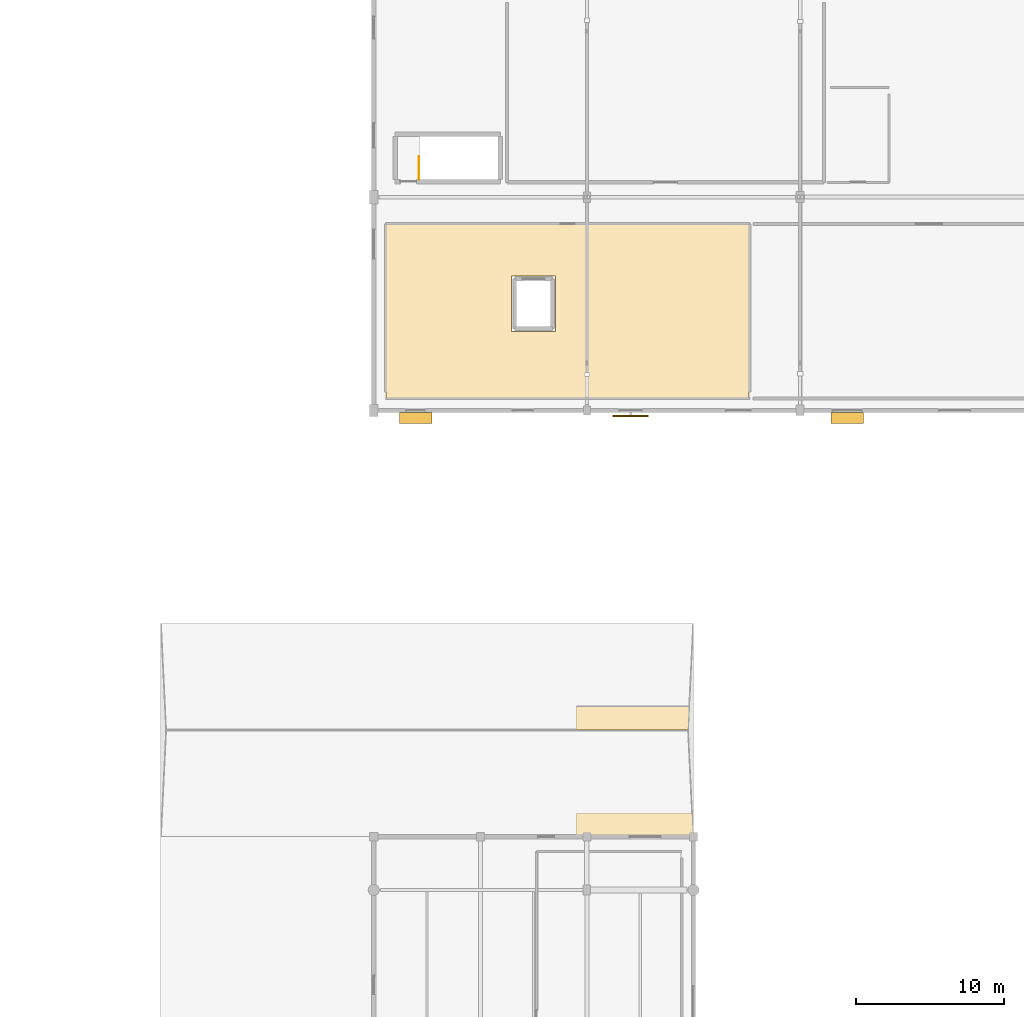
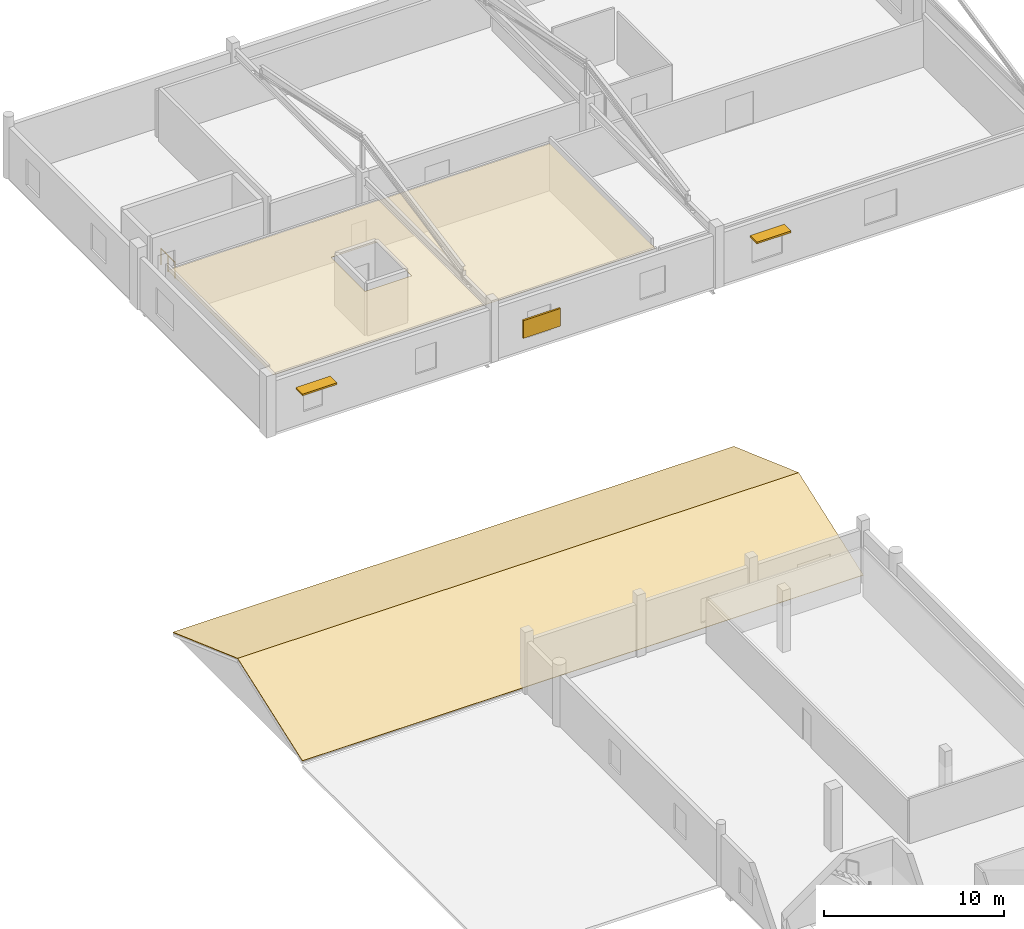
# One storey, part 92 of 92: 3 coverings, 3 shading devices, 1 railing.
"""IFC4 building model written with IfcOpenShell, lengths in metres."""

import ifcopenshell
import ifcopenshell.guid

model = None  # the IFC model being written
_history = None  # IfcOwnerHistory: only IFC2X3 demands one
_inside = {}  # id of a spatial element -> (the spatial element, [elements in it])
_under = {}  # id of a project, library or spatial element -> (it, [spatial elements below it])
_declared = {}  # id of a project -> (the project, [libraries it declares])
_typed = {}  # id of a type object -> (the type object, [elements of that type])
_made_of = {}  # id of a material, layer set ... -> (it, [elements and type objects made of it])


def new_model(schema):
    """Start an empty IFC model of exactly this schema.

    Asked for "IFC4X3", IfcOpenShell would pick the latest addendum, in which some entities
    have other attributes; the version numbers below select the first issue.
    IFC2X3 requires an IfcOwnerHistory on every rooted entity: one is made here for all.
    """
    global model, _history
    if schema == "IFC4X3":
        model = ifcopenshell.file(schema_version=(4, 3, 0, 0))
    else:
        model = ifcopenshell.file(schema=schema)
    _inside.clear()
    _under.clear()
    _declared.clear()
    _typed.clear()
    _made_of.clear()
    _history = None
    if model.schema == "IFC2X3":
        org = make("IfcOrganization", Name="unknown")
        user = make(
            "IfcPersonAndOrganization",
            ThePerson=make("IfcPerson", FamilyName="unknown"),
            TheOrganization=org,
        )
        app = make(
            "IfcApplication",
            ApplicationDeveloper=org,
            Version="unknown",
            ApplicationFullName="unknown",
            ApplicationIdentifier="unknown",
        )
        _history = make(
            "IfcOwnerHistory",
            OwningUser=user,
            OwningApplication=app,
            ChangeAction="ADDED",
            CreationDate=0,
        )
    return model


def make(cls, **values):
    """One entity of the class cls with the attributes given. An attribute that is None is left unset."""
    return model.create_entity(
        cls, **{name: value for name, value in values.items() if value is not None}
    )


def rooted(cls, **values):
    """An entity with a GlobalId (a new one), such as an element, a storey or a relation."""
    return make(cls, GlobalId=ifcopenshell.guid.new(), OwnerHistory=_history, **values)


def si_unit(unit_type, name, prefix=None):
    """IfcSIUnit, for example si_unit("LENGTHUNIT", "METRE", prefix="MILLI")."""
    return make("IfcSIUnit", UnitType=unit_type, Prefix=prefix, Name=name)


def assignment(units):
    """IfcUnitAssignment: the units of a project."""
    return None if units is None else make("IfcUnitAssignment", Units=units)


def point(xyz):
    """IfcCartesianPoint."""
    return None if xyz is None else make("IfcCartesianPoint", Coordinates=xyz)


def direction(xyz):
    """IfcDirection."""
    return None if xyz is None else make("IfcDirection", DirectionRatios=xyz)


def frame(location, z_axis=None, x_axis=None):
    """IfcAxis2Placement3D, a coordinate frame: its origin and axes. An axis left out is left unset."""
    return make(
        "IfcAxis2Placement3D",
        Location=point(location),
        Axis=direction(z_axis),
        RefDirection=direction(x_axis),
    )


def frame_2d(location, x_axis=None):
    """IfcAxis2Placement2D, a coordinate frame in the plane: its origin and x axis."""
    return make(
        "IfcAxis2Placement2D", Location=point(location), RefDirection=direction(x_axis)
    )


def origin():
    """The frame at (0, 0, 0) with its axes left unset."""
    return frame((0.0, 0.0, 0.0))


def origin_2d():
    """The frame at (0, 0) in the plane with its x axis left unset."""
    return frame_2d((0.0, 0.0))


def place(relative_to, where):
    """IfcLocalPlacement: puts the frame where relative to a parent placement (None: the world)."""
    return make(
        "IfcLocalPlacement", PlacementRelTo=relative_to, RelativePlacement=where
    )


def context(
    kind, dimensions, precision=None, world=None, true_north=None, identifier=None
):
    """IfcGeometricRepresentationContext, for example the 3D "Model" context."""
    return make(
        "IfcGeometricRepresentationContext",
        ContextIdentifier=identifier,
        ContextType=kind,
        CoordinateSpaceDimension=dimensions,
        Precision=precision,
        WorldCoordinateSystem=world,
        TrueNorth=true_north,
    )


def subcontext(parent, identifier, kind, view, scale=None):
    """IfcGeometricRepresentationSubContext, for example "Body" below "Model"."""
    return make(
        "IfcGeometricRepresentationSubContext",
        ContextIdentifier=identifier,
        ContextType=kind,
        ParentContext=parent,
        TargetScale=scale,
        TargetView=view,
    )


def project(units=None, contexts=None):
    """IfcProject with its units and contexts."""
    return rooted(
        "IfcProject",
        Name="project",
        RepresentationContexts=contexts,
        UnitsInContext=assignment(units),
    )


def spatial(cls, under=None, at=None, **own):
    """A site, building, storey or space (cls), placed at a placement, below another one or the project."""
    s = rooted(cls, ObjectPlacement=at, **own)
    if under is not None:
        _under.setdefault(under.id(), (under, []))[1].append(s)
    return s


def polyline(points):
    """IfcPolyline through the points."""
    return make("IfcPolyline", Points=[point(p) for p in points])


def profile(cls, at=None, kind="AREA", **sizes):
    """A parametric profile (cls). Its sizes go by their IFC names, for example OverallWidth=200.0."""
    return make(cls, ProfileType=kind, Position=at, **sizes)


def rectangle(**sizes):
    """IfcRectangleProfileDef."""
    return profile("IfcRectangleProfileDef", **sizes)


def circle(**sizes):
    """IfcCircleProfileDef."""
    return profile("IfcCircleProfileDef", **sizes)


def outline(outer, holes=None, kind="AREA"):
    """IfcArbitraryClosedProfileDef: a profile drawn as a closed curve; with holes, ...WithVoids."""
    if holes is None:
        return make("IfcArbitraryClosedProfileDef", ProfileType=kind, OuterCurve=outer)
    return make(
        "IfcArbitraryProfileDefWithVoids",
        ProfileType=kind,
        OuterCurve=outer,
        InnerCurves=holes,
    )


def extrude(swept, where, along, depth):
    """IfcExtrudedAreaSolid: the profile swept, set in the frame where, extruded along a direction by depth."""
    return make(
        "IfcExtrudedAreaSolid",
        SweptArea=swept,
        Position=where,
        ExtrudedDirection=direction(along),
        Depth=depth,
    )


def shape(context_of_items, identifier, shape_type, items):
    """IfcShapeRepresentation: the items that make up one representation, for example the "Body"."""
    return make(
        "IfcShapeRepresentation",
        ContextOfItems=context_of_items,
        RepresentationIdentifier=identifier,
        RepresentationType=shape_type,
        Items=items,
    )


def material(Name=None, Category=None):
    """IfcMaterial."""
    return make("IfcMaterial", Name=Name, Category=Category)


def layer(
    of_material, thickness, ventilated=None, Name=None, Category=None, Priority=None
):
    """IfcMaterialLayer: one layer of a wall or slab, of a material (None: an air gap)."""
    return make(
        "IfcMaterialLayer",
        Material=of_material,
        LayerThickness=thickness,
        IsVentilated=ventilated,
        Name=Name,
        Category=Category,
        Priority=Priority,
    )


def layer_set(layers, Name=None):
    """IfcMaterialLayerSet."""
    return make("IfcMaterialLayerSet", MaterialLayers=layers, LayerSetName=Name)


def made_of(thing, what):
    """Note that an element or type object is made of a material, layer set ...; save() writes the relation."""
    if what is not None:
        _made_of.setdefault(what.id(), (what, []))[1].append(thing)
    return thing


def type_object(cls, material=None, **own):
    """A type object (cls), such as IfcWallType, which elements share."""
    return made_of(rooted(cls, **own), material)


def element(
    cls,
    number,
    at=None,
    inside=None,
    cuts=None,
    type_object=None,
    material=None,
    context=None,
    identifier="Body",
    shape_type=None,
    held_by="IfcProductDefinitionShape",
    body=None,
    shapes=None,
    **own,
):
    """One element of the class cls, such as IfcWall. Its Tag is "e" and its number.

    at: its placement. inside: the storey or other place that contains it. cuts: it is an
    opening in that element (IfcRelVoidsElement). A single representation is given by context,
    identifier, shape_type and body (its items); several are given by shapes. held_by: the class
    of the entity that holds the representations. save() writes the other relations.
    """
    e = rooted(cls, Tag="e%d" % number, ObjectPlacement=at, **own)
    if body is not None:
        shapes = [shape(context, identifier, shape_type, body)]
    if shapes is not None:
        e.Representation = make(held_by, Representations=shapes)
    if inside is not None:
        _inside.setdefault(inside.id(), (inside, []))[1].append(e)
    if cuts is not None:
        rooted(
            "IfcRelVoidsElement", RelatingBuildingElement=cuts, RelatedOpeningElement=e
        )
    if type_object is not None:
        _typed.setdefault(type_object.id(), (type_object, []))[1].append(e)
    return made_of(e, material)


def aggregate(whole, parts):
    """IfcRelAggregates: a whole, such as a stair, and the parts it consists of."""
    return rooted("IfcRelAggregates", RelatingObject=whole, RelatedObjects=parts)


def save(model, path):
    """Write the relations noted so far, then the file.

    IfcRelAggregates (storeys below a building ...), IfcRelContainedInSpatialStructure (elements
    in a storey), IfcRelDefinesByType, IfcRelAssociatesMaterial and IfcRelDeclares: one each for
    every whole, place, type object, material and project.
    """
    for whole, parts in _under.values():
        aggregate(whole, parts)
    for where, things in _inside.values():
        rooted(
            "IfcRelContainedInSpatialStructure",
            RelatedElements=things,
            RelatingStructure=where,
        )
    for kind, things in _typed.values():
        rooted("IfcRelDefinesByType", RelatedObjects=things, RelatingType=kind)
    for what, things in _made_of.values():
        rooted("IfcRelAssociatesMaterial", RelatedObjects=things, RelatingMaterial=what)
    for by, libraries in _declared.values():
        rooted("IfcRelDeclares", RelatingContext=by, RelatedDefinitions=libraries)
    model.write(path)


model = new_model("IFC4")

# Units and contexts
model_context = context("Model", 3, precision=1e-05, world=origin(), true_north=direction((0.0, 1.0)))
body_context = subcontext(model_context, "Body", "Model", "MODEL_VIEW")
ifc_project = project(units=[si_unit("LENGTHUNIT", "METRE"), si_unit("AREAUNIT", "SQUARE_METRE"), si_unit("VOLUMEUNIT", "CUBIC_METRE"), si_unit("PLANEANGLEUNIT", "RADIAN"), si_unit("MASSUNIT", "GRAM", prefix="KILO")], contexts=[model_context])

# Site, building, storey
site_placement = place(None, origin())
site = spatial("IfcSite", under=ifc_project, at=site_placement, CompositionType="ELEMENT")
building_placement = place(site_placement, origin())
building = spatial("IfcBuilding", under=site, at=building_placement, Name="Solanera Park Tramway Depot", CompositionType="ELEMENT")
storey_placement = place(building_placement, frame((0.0, 0.0, 4.800048828125)))
storey = spatial("IfcBuildingStorey", under=building, at=storey_placement, Name="L01", CompositionType="ELEMENT", Elevation=4.800048828125)

# Covering
ifc_material_1 = material(Name="Acoustic perforated plasterboard and mineral-fibre ceiling")
ifc_layer_1 = layer(ifc_material_1, 0.02001953125)
ifc_layer_set_1 = layer_set([ifc_layer_1], Name="Acoustic perforated plasterboard and mineral-fibre ceiling")
covering_type_1 = type_object("IfcCoveringType", Name="Acoustic Mineral-Fibre Ceiling 20", PredefinedType="CEILING", material=ifc_layer_set_1)
covering_1_placement = place(storey_placement, frame((0.0, 0.0, 3.14990234375)))
element("IfcCovering", 1, at=covering_1_placement, inside=storey, type_object=covering_type_1, Name="Substation Protection and SCADA Room Acoustic Ceiling", PredefinedType="CEILING", context=body_context, shape_type="SweptSolid", body=[
    extrude(outline(polyline([(166.43994140625, 116.0400390625), (166.43994140625, 127.760009765625), (190.9599609375, 127.760009765625), (190.9599609375, 116.0400390625), (166.43994140625, 116.0400390625)]), holes=[polyline([(177.889892578125, 124.2900390625), (174.909912109375, 124.2900390625), (174.909912109375, 120.510009765625), (177.889892578125, 120.510009765625), (177.889892578125, 124.2900390625)])]), origin(), (0.0, 0.0, 1.0), 0.02001953125),
])

# Railing
ifc_material_2 = material(Name="Steel AS/NZS 1163 Grade C350L0", Category="steel")
ifc_layer_2 = layer(ifc_material_2, 0.06005859375)
ifc_layer_set_2 = layer_set([ifc_layer_2], Name="Steel AS/NZS 1163 Grade C350L0")
railing_type = type_object("IfcRailingType", Name="Stairwell Guardrail 1100", PredefinedType="GUARDRAIL", material=ifc_layer_set_2)
railing_placement = place(storey_placement, frame((168.64990234375, 130.800048828125, 0.0)))
element("IfcRailing", 2, at=railing_placement, inside=storey, type_object=railing_type, Name="ST-11 Top Landing Guard 1", PredefinedType="GUARDRAIL", context=body_context, shape_type="SweptSolid", body=[
    extrude(circle(Radius=0.02392578125, at=origin_2d()), frame((0.0, 0.0, 1.076171875), z_axis=(0.0, 1.0, 0.0), x_axis=(-1.0, 0.0, 0.0)), (0.0, 0.0, 1.0), 1.550048828125),
    extrude(circle(Radius=0.02099609375, at=origin_2d()), origin(), (0.0, 0.0, 1.0), 1.052001953125),
    extrude(circle(Radius=0.02099609375, at=origin_2d()), frame((0.0, 0.77490234375, 0.0)), (0.0, 0.0, 1.0), 1.052001953125),
    extrude(circle(Radius=0.02099609375, at=origin_2d()), frame((0.0, 1.550048828125, 0.0)), (0.0, 0.0, 1.0), 1.052001953125),
])

# Shading devices
ifc_material_3 = material(Name="Extruded terracotta brise-soleil hood", Category="masonry")
shading_device_type_1 = type_object("IfcShadingDeviceType", Name="Terracotta Brise-Soleil Sunshade Hood 2200x750", PredefinedType="USERDEFINED", material=ifc_material_3)
for number, where, z_axis, x_axis, name in (
    (3, (168.425048828125, 114.68505859375, 2.47998046875), (0.0, 0.0, 1.0), (1.0, 0.0, 0.0), "Terracotta Brise-Soleil Sunshade #013"),
    (4, (197.574951171875, 114.68505859375, 2.579833984375), (0.0, 0.0, 1.0), (1.0, 0.0, 0.0), "Terracotta Brise-Soleil Sunshade #015"),
):
    element("IfcShadingDevice", number, at=place(storey_placement, frame(where, z_axis=z_axis, x_axis=x_axis)), inside=storey, type_object=shading_device_type_1, Name=name, ObjectType="SUNSHADE", PredefinedType="USERDEFINED", context=body_context, shape_type="SweptSolid", body=[
        extrude(rectangle(XDim=2.199951171875, YDim=0.75, at=origin_2d()), origin(), (0.0, 0.0, 1.0), 0.1201171875),
    ])

# Coverings
ifc_material_4 = material(Name="Mission terracotta clay barrel tile", Category="masonry")
ifc_layer_3 = layer(ifc_material_4, 0.044921875)
ifc_layer_set_3 = layer_set([ifc_layer_3], Name="Mission terracotta clay barrel tile")
covering_type_2 = type_object("IfcCoveringType", Name="Terracotta Clay Barrel Tile Roofing 45", PredefinedType="ROOFING", material=ifc_layer_set_3)
covering_2_placement = place(storey_placement, frame((151.199951171875, 86.39990234375, 0.29345703125), z_axis=(0.0, -0.338066248603, 0.941122314875), x_axis=(1.0, 0.0, 0.0)))
element("IfcCovering", 5, at=covering_2_placement, inside=storey, type_object=covering_type_2, Name="Terracotta Barrel Tile Roof Covering V4CP-RF.1", PredefinedType="ROOFING", context=body_context, shape_type="SweptSolid", body=[
    extrude(outline(polyline([(0.0, 0.0), (36.0, 0.0), (36.0, 7.650647741208691), (0.0, 7.650647741208691), (0.0, 0.0)])), origin(), (0.0, 0.0, -1.0), 0.044921875),
])
covering_3_placement = place(storey_placement, frame((151.199951171875, 93.60009765625, 2.8798828125), z_axis=(0.0, 0.338076401779, 0.941118667629), x_axis=(1.0, 0.0, 0.0)))
element("IfcCovering", 6, at=covering_3_placement, inside=storey, type_object=covering_type_2, Name="Terracotta Barrel Tile Roof Covering V4CP-RF.2", PredefinedType="ROOFING", context=body_context, shape_type="SweptSolid", body=[
    extrude(outline(polyline([(0.0, 0.0), (36.0, 0.0), (36.0, 7.650417975463749), (0.0, 7.650417975463749), (0.0, 0.0)])), origin(), (0.0, 0.0, -1.0), 0.044921875),
])

# Shading device
ifc_material_5 = material(Name="Powder-coated aluminium aerofoil louvre", Category="aluminium")
shading_device_type_2 = type_object("IfcShadingDeviceType", Name="Timber-Look Aluminium Jalousie Louvre 2400x1200", PredefinedType="JALOUSIE", material=ifc_material_5)
shading_device_placement = place(storey_placement, frame((182.949951171875, 114.820068359375, 1.05517578125), z_axis=(0.0, 0.0, 1.0), x_axis=(1.0, 0.0, 0.0)))
element("IfcShadingDevice", 7, at=shading_device_placement, inside=storey, type_object=shading_device_type_2, Name="Jalousie Louvre Screen #014", PredefinedType="JALOUSIE", context=body_context, shape_type="SweptSolid", body=[
    extrude(rectangle(XDim=2.39990234375, YDim=0.1201171875, at=origin_2d()), origin(), (0.0, 0.0, 1.0), 1.199951171875),
])

save(model, "model.ifc")
